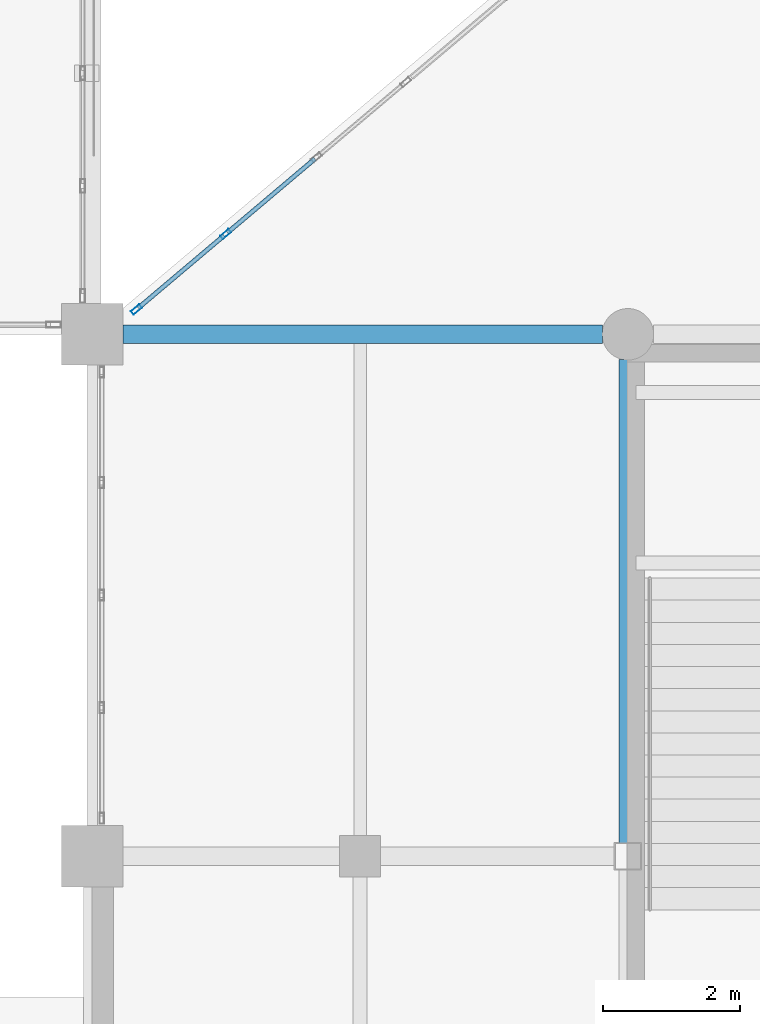
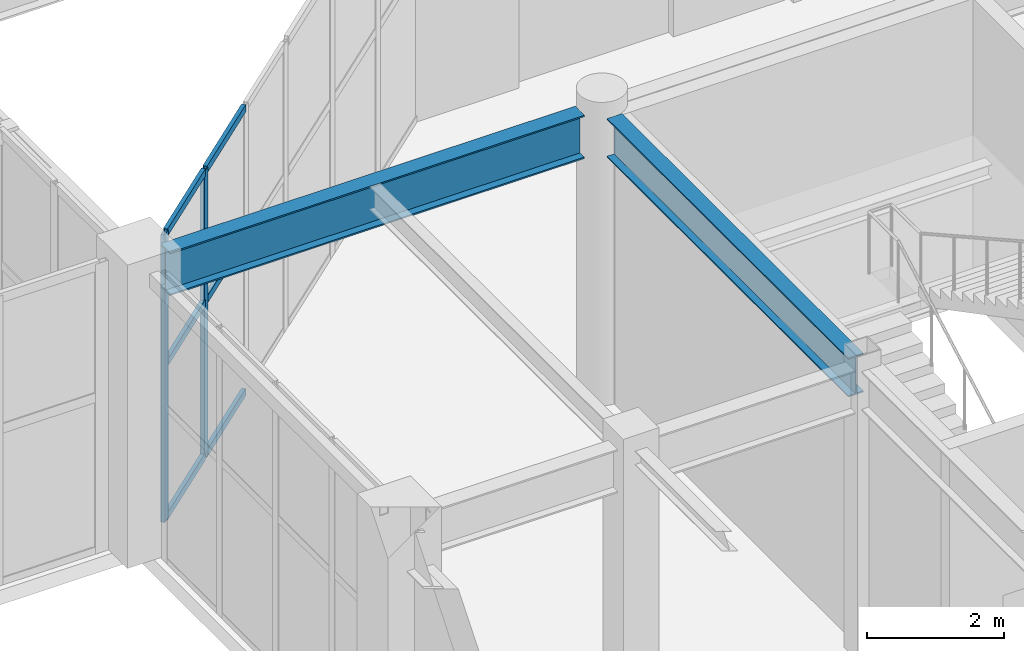
# One storey, part 83 of 139: 8 members, 2 beams, 1 element without a shape of its own.
"""IFC4 building model written with IfcOpenShell, lengths in metres."""

from ifc_helpers import new_model, si_unit, direction, frame, origin, origin_2d, place, context, subcontext, project, spatial, hollow_rectangle, i_section, extrude, material, layer, layer_set, material_profile, profile_set, type_object, element, aggregate, save


model = new_model("IFC4")

# Units and contexts
model_context = context("Model", 3, precision=1e-05, world=origin(), true_north=direction((0.0, 1.0)))
body_context = subcontext(model_context, "Body", "Model", "MODEL_VIEW")
ifc_project = project(units=[si_unit("LENGTHUNIT", "METRE"), si_unit("AREAUNIT", "SQUARE_METRE"), si_unit("VOLUMEUNIT", "CUBIC_METRE"), si_unit("PLANEANGLEUNIT", "RADIAN"), si_unit("MASSUNIT", "GRAM", prefix="KILO")], contexts=[model_context])

# Site, building, storey
site_placement = place(None, origin())
site = spatial("IfcSite", under=ifc_project, at=site_placement, CompositionType="ELEMENT")
building_placement = place(site_placement, origin())
building = spatial("IfcBuilding", under=site, at=building_placement, Name="Xicomal Pleat Aquarium", CompositionType="ELEMENT")
storey_placement = place(building_placement, origin())
storey = spatial("IfcBuildingStorey", under=building, at=storey_placement, Name="L01", CompositionType="ELEMENT", Elevation=0.0)

# Beams
ifc_material_1 = material(Name="Structural steel A992 Gr 50", Category="steel")
ifc_material_profile_1 = material_profile(ifc_material_1, i_section(OverallWidth=0.256103515625, OverallDepth=0.693115234375, WebThickness=0.014404296875, FlangeThickness=0.023681640625, at=origin_2d()), Name="IR 690x170")
ifc_profile_set_1 = profile_set([ifc_material_profile_1], Name="Structural steel A992 Gr 50")
beam_type_1 = type_object("IfcBeamType", Name="BM-STL-IR690", PredefinedType="BEAM", material=ifc_profile_set_1)
beam_1_placement = place(storey_placement, frame((141.60009765625, 22.9951171875, 4.7734375), z_axis=(0.0, 1.0, 0.0), x_axis=(-1.0, 0.0, 0.0)))
element("IfcBeam", 1, at=beam_1_placement, inside=storey, type_object=beam_type_1, Name="L01 framing beam FGY-L01-18-D-E", PredefinedType="BEAM", context=body_context, shape_type="SweptSolid", body=[
    extrude(i_section(OverallWidth=0.256103515625, OverallDepth=0.693115234375, WebThickness=0.014404296875, FlangeThickness=0.023681640625, at=origin_2d()), origin(), (0.0, 0.0, 1.0), 7.034912109375),
])
ifc_material_2 = material(Name="Structural steel A992 Gr 50", Category="steel")
ifc_material_profile_2 = material_profile(ifc_material_2, i_section(OverallWidth=0.26806640625, OverallDepth=0.77001953125, WebThickness=0.015625, FlangeThickness=0.025390625, at=origin_2d()), Name="IR 760x196")
ifc_profile_set_2 = profile_set([ifc_material_profile_2], Name="Structural steel A992 Gr 50")
beam_type_2 = type_object("IfcBeamType", Name="BM-STL-IR760", PredefinedType="BEAM", material=ifc_profile_set_2)
beam_2_placement = place(storey_placement, frame((134.2451171875, 30.39990234375, 4.735107421875), z_axis=(1.0, 0.0, 0.0), x_axis=(0.0, 1.0, 0.0)))
element("IfcBeam", 2, at=beam_2_placement, inside=storey, type_object=beam_type_2, Name="L01 framing beam FGX-L01-17-18-E", PredefinedType="BEAM", context=body_context, shape_type="SweptSolid", body=[
    extrude(i_section(OverallWidth=0.26806640625, OverallDepth=0.77001953125, WebThickness=0.015625, FlangeThickness=0.025390625, at=origin_2d()), origin(), (0.0, 0.0, 1.0), 6.98486328125),
])

# Curtain wall, members
ifc_material_3 = material(Name="Bronze anodized aluminium 6063-T6", Category="aluminium")
ifc_layer = layer(ifc_material_3, 0.159912109375)
ifc_layer_set = layer_set([ifc_layer], Name="Bronze anodized aluminium 6063-T6")
curtain_wall_type = type_object("IfcCurtainWallType", Name="CW-SYS-01", PredefinedType="NOTDEFINED", material=ifc_layer_set)
curtain_wall_placement = place(storey_placement, origin())
curtain_wall = element("IfcCurtainWall", 3, at=curtain_wall_placement, inside=storey, type_object=curtain_wall_type, Name="L01 unitised curtain wall CW-L01-054", PredefinedType="NOTDEFINED")
ifc_material_4 = material(Name="Bronze anodized aluminium 6063-T6", Category="aluminium")
ifc_material_profile_3 = material_profile(ifc_material_4, hollow_rectangle(XDim=0.06494140625, YDim=0.159912109375, WallThickness=0.00390625, at=origin_2d()), Name="ALU MULL 65x160")
ifc_profile_set_3 = profile_set([ifc_material_profile_3], Name="Bronze anodized aluminium 6063-T6")
member_type_1 = type_object("IfcMemberType", Name="CWM-65x160", PredefinedType="MULLION", material=ifc_profile_set_3)
member_1_placement = place(storey_placement, frame((134.44580078125, 30.761962890625, 0.0), z_axis=(0.0, 0.0, 1.0), x_axis=(-0.645225762435, 0.763991960357, 0.0)))
member_1 = element("IfcMember", 4, at=member_1_placement, type_object=member_type_1, Name="CW-01 mullion 1", PredefinedType="MULLION", context=body_context, shape_type="SweptSolid", body=[
    extrude(hollow_rectangle(XDim=0.06494140625, YDim=0.159912109375, WallThickness=0.00390625, at=origin_2d()), origin(), (0.0, 0.0, 1.0), 5.1201171875),
])
member_2_placement = place(storey_placement, frame((135.743896484375, 31.8583984375, 0.0), z_axis=(0.0, 0.0, 1.0), x_axis=(-0.645225762435, 0.763991960357, 0.0)))
member_2 = element("IfcMember", 5, at=member_2_placement, type_object=member_type_1, Name="CW-01 mullion 2", PredefinedType="MULLION", context=body_context, shape_type="SweptSolid", body=[
    extrude(hollow_rectangle(XDim=0.06494140625, YDim=0.159912109375, WallThickness=0.00390625, at=origin_2d()), origin(), (0.0, 0.0, 1.0), 5.1201171875),
])
ifc_material_5 = material(Name="Bronze anodized aluminium 6063-T6", Category="aluminium")
ifc_material_profile_4 = material_profile(ifc_material_5, hollow_rectangle(XDim=0.06494140625, YDim=0.1298828125, WallThickness=0.00390625, at=origin_2d()), Name="ALU TRAN 65x130")
ifc_profile_set_4 = profile_set([ifc_material_profile_4], Name="Bronze anodized aluminium 6063-T6")
member_type_2 = type_object("IfcMemberType", Name="CWT-65x130", PredefinedType="USERDEFINED", material=ifc_profile_set_4)
member_3_placement = place(storey_placement, frame((134.470703125, 30.782958984375, 0.032470703125), z_axis=(0.763992275781, 0.645225388951, 0.0), x_axis=(-0.645225388951, 0.763992275781, 0.0)))
member_3 = element("IfcMember", 6, at=member_3_placement, type_object=member_type_2, Name="CW-01 transom 1.1", ObjectType="TRANSOM", PredefinedType="USERDEFINED", context=body_context, shape_type="SweptSolid", body=[
    extrude(hollow_rectangle(XDim=0.06494140625, YDim=0.1298828125, WallThickness=0.00390625, at=origin_2d()), origin(), (0.0, 0.0, 1.0), 1.63427734375),
])
member_4_placement = place(storey_placement, frame((134.470703125, 30.782958984375, 2.764892578125), z_axis=(0.763992275781, 0.645225388951, 0.0), x_axis=(-0.645225388951, 0.763992275781, 0.0)))
member_4 = element("IfcMember", 7, at=member_4_placement, type_object=member_type_2, Name="CW-01 transom 1.2", ObjectType="TRANSOM", PredefinedType="USERDEFINED", context=body_context, shape_type="SweptSolid", body=[
    extrude(hollow_rectangle(XDim=0.06494140625, YDim=0.1298828125, WallThickness=0.00390625, at=origin_2d()), origin(), (0.0, 0.0, 1.0), 1.63427734375),
])
member_5_placement = place(storey_placement, frame((134.470703125, 30.782958984375, 5.08740234375), z_axis=(0.763992275781, 0.645225388951, 0.0), x_axis=(-0.645225388951, 0.763992275781, 0.0)))
member_5 = element("IfcMember", 8, at=member_5_placement, type_object=member_type_2, Name="CW-01 transom 1.3", ObjectType="TRANSOM", PredefinedType="USERDEFINED", context=body_context, shape_type="SweptSolid", body=[
    extrude(hollow_rectangle(XDim=0.06494140625, YDim=0.1298828125, WallThickness=0.00390625, at=origin_2d()), origin(), (0.0, 0.0, 1.0), 1.63427734375),
])
member_6_placement = place(storey_placement, frame((135.768798828125, 31.87939453125, 0.032470703125), z_axis=(0.764074843914, 0.645127609777, 0.0), x_axis=(-0.645127609777, 0.764074843914, 0.0)))
member_6 = element("IfcMember", 9, at=member_6_placement, type_object=member_type_2, Name="CW-01 transom 2.1", ObjectType="TRANSOM", PredefinedType="USERDEFINED", context=body_context, shape_type="SweptSolid", body=[
    extrude(hollow_rectangle(XDim=0.06494140625, YDim=0.1298828125, WallThickness=0.00390625, at=origin_2d()), origin(), (0.0, 0.0, 1.0), 1.666748046875),
])
member_7_placement = place(storey_placement, frame((135.768798828125, 31.87939453125, 2.764892578125), z_axis=(0.764074843914, 0.645127609777, 0.0), x_axis=(-0.645127609777, 0.764074843914, 0.0)))
member_7 = element("IfcMember", 10, at=member_7_placement, type_object=member_type_2, Name="CW-01 transom 2.2", ObjectType="TRANSOM", PredefinedType="USERDEFINED", context=body_context, shape_type="SweptSolid", body=[
    extrude(hollow_rectangle(XDim=0.06494140625, YDim=0.1298828125, WallThickness=0.00390625, at=origin_2d()), origin(), (0.0, 0.0, 1.0), 1.666748046875),
])
member_8_placement = place(storey_placement, frame((135.768798828125, 31.87939453125, 5.08740234375), z_axis=(0.764074843914, 0.645127609777, 0.0), x_axis=(-0.645127609777, 0.764074843914, 0.0)))
member_8 = element("IfcMember", 11, at=member_8_placement, type_object=member_type_2, Name="CW-01 transom 2.3", ObjectType="TRANSOM", PredefinedType="USERDEFINED", context=body_context, shape_type="SweptSolid", body=[
    extrude(hollow_rectangle(XDim=0.06494140625, YDim=0.1298828125, WallThickness=0.00390625, at=origin_2d()), origin(), (0.0, 0.0, 1.0), 1.666748046875),
])
aggregate(curtain_wall, [member_1, member_2, member_3, member_4, member_5, member_6, member_7, member_8])

save(model, "model.ifc")
